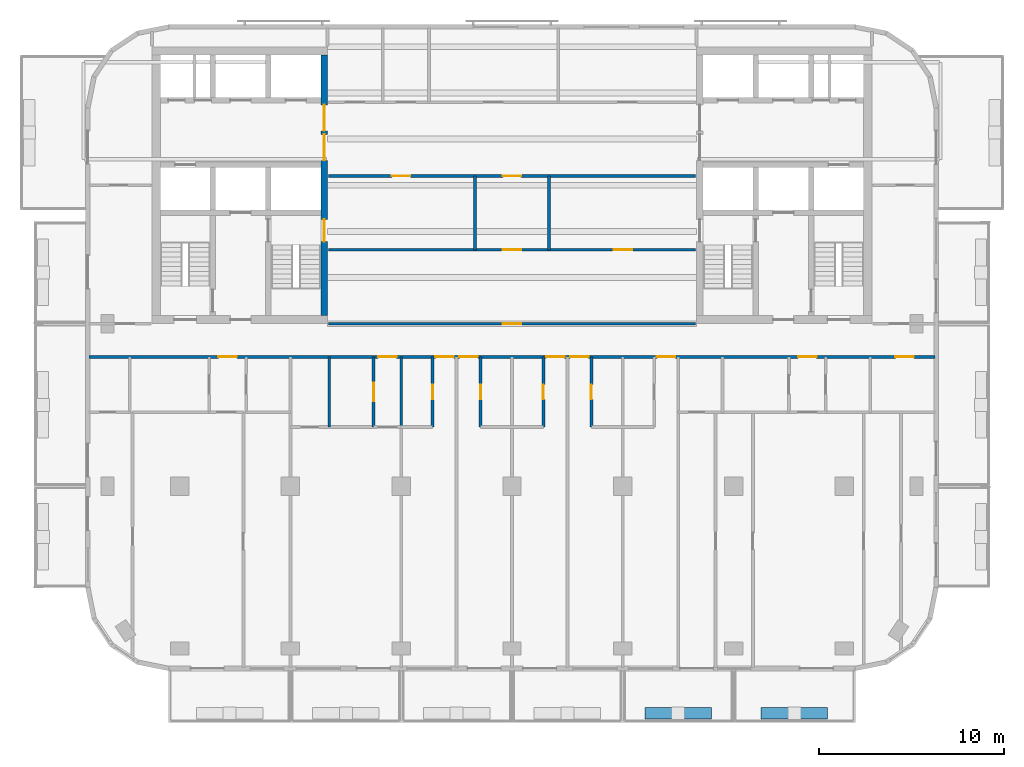
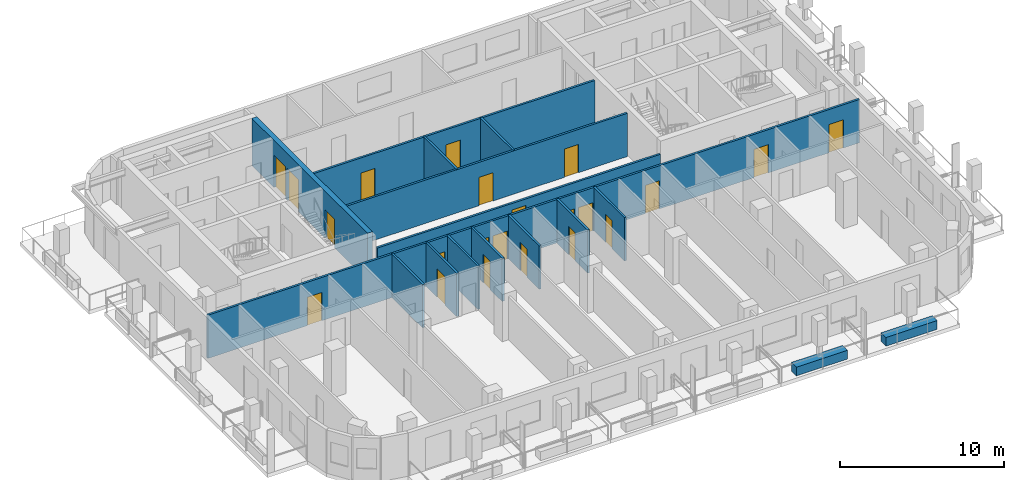
# One storey, part 4 of 11: 22 doors, 16 walls, 22 openings.
"""IFC4 building model written with IfcOpenShell, lengths in metres."""

from ifc_helpers import new_model, si_unit, direction, frame, frame_2d, origin, place, context, subcontext, project, spatial, rectangle, extrude, material, layer, layer_set, type_object, element, fill, save


model = new_model("IFC4")

# Units and contexts
model_context = context("Model", 3, precision=1e-05, world=origin(), true_north=direction((0.0, 1.0)))
body_context = subcontext(model_context, "Body", "Model", "MODEL_VIEW")
ifc_project = project(units=[si_unit("LENGTHUNIT", "METRE"), si_unit("AREAUNIT", "SQUARE_METRE"), si_unit("VOLUMEUNIT", "CUBIC_METRE"), si_unit("PLANEANGLEUNIT", "RADIAN"), si_unit("MASSUNIT", "GRAM", prefix="KILO")], contexts=[model_context])

# Site, building, storey
site_placement = place(None, origin())
site = spatial("IfcSite", under=ifc_project, at=site_placement, CompositionType="ELEMENT")
building_placement = place(site_placement, origin())
building = spatial("IfcBuilding", under=site, at=building_placement, Name="Torana Hotel and Residences", CompositionType="ELEMENT")
storey_placement = place(building_placement, frame((0.0, 0.0, 256.10009765625)))
storey = spatial("IfcBuildingStorey", under=building, at=storey_placement, Name="L67", CompositionType="ELEMENT", Elevation=256.10009765625)

# Wall, openings, doors
ifc_material_1 = material(Name="Concrete C60/75", Category="concrete")
ifc_layer_1 = layer(ifc_material_1, 0.35009765625)
ifc_layer_set_1 = layer_set([ifc_layer_1], Name="CORE WALL 350 C60/75")
wall_type_1 = type_object("IfcWallType", Name="CORE WALL 350 C60/75", PredefinedType="SHEAR", material=ifc_layer_set_1)
wall_1_placement = place(storey_placement, frame((-10.175048828125, -14.550048828125, 0.0), z_axis=(0.0, 0.0, 1.0), x_axis=(0.0, 1.0, 0.0)))
wall_1 = element("IfcWall", 1, at=wall_1_placement, inside=storey, type_object=wall_type_1, Name="Core wall W arch", PredefinedType="SHEAR", context=body_context, shape_type="SweptSolid", body=[
    extrude(rectangle(XDim=14.10009765625, YDim=0.35009765625, at=frame_2d((7.050048828125, 0.0))), origin(), (0.0, 0.0, 1.0), 3.5),
])
opening_1_placement = place(wall_1_placement, frame((8.39990234375, 0.0, 0.0)))
opening_1 = element("IfcOpeningElement", 2, at=opening_1_placement, cuts=wall_1, Name="Opening L67-01", PredefinedType="OPENING", context=body_context, shape_type="SweptSolid", body=[
    extrude(rectangle(XDim=1.39990234375, YDim=2.39990234375, at=frame_2d((0.699951171875, 1.199951171875))), frame((0.0, 0.18505859375, 0.0), z_axis=(0.0, -1.0, 0.0), x_axis=(1.0, 0.0, 0.0)), (0.0, 0.0, 1.0), 0.3701171875),
])
opening_2_placement = place(wall_1_placement, frame((10.0, 0.0, 0.0)))
opening_2 = element("IfcOpeningElement", 3, at=opening_2_placement, cuts=wall_1, Name="Opening L67-02", PredefinedType="OPENING", context=body_context, shape_type="SweptSolid", body=[
    extrude(rectangle(XDim=1.39990234375, YDim=2.39990234375, at=frame_2d((0.699951171875, 1.199951171875))), frame((0.0, 0.18505859375, 0.0), z_axis=(0.0, -1.0, 0.0), x_axis=(1.0, 0.0, 0.0)), (0.0, 0.0, 1.0), 0.3701171875),
])
opening_3_placement = place(wall_1_placement, frame((4.0, 0.0, 0.0)))
opening_3 = element("IfcOpeningElement", 4, at=opening_3_placement, cuts=wall_1, Name="Opening L67-03", PredefinedType="OPENING", context=body_context, shape_type="SweptSolid", body=[
    extrude(rectangle(XDim=1.199951171875, YDim=2.10009765625, at=frame_2d((0.60009765625, 1.050048828125))), frame((0.0, 0.18505859375, 0.0), z_axis=(0.0, -1.0, 0.0), x_axis=(1.0, 0.0, 0.0)), (0.0, 0.0, 1.0), 0.3701171875),
])
ifc_material_2 = material(Name="Steel S235", Category="steel")
door_type_1 = type_object("IfcDoorType", Name="LOBBY FIRE DOOR D4 1400x2400", OperationType="DOUBLE_DOOR_SINGLE_SWING", PredefinedType="DOOR", material=ifc_material_2)
door_1_placement = place(opening_1_placement, origin())
door_1 = element("IfcDoor", 5, at=door_1_placement, inside=storey, type_object=door_type_1, Name="Lobby-1 door L67", OperationType="DOUBLE_DOOR_SINGLE_SWING", OverallHeight=2.39990234375, OverallWidth=1.39990234375, PredefinedType="DOOR", context=body_context, shape_type="SweptSolid", body=[
    extrude(rectangle(XDim=1.39990234375, YDim=2.39990234375, at=frame_2d((0.699951171875, 1.199951171875))), frame((0.0, 0.02490234375, 0.0), z_axis=(0.0, -1.0, 0.0), x_axis=(1.0, 0.0, 0.0)), (0.0, 0.0, 1.0), 0.050048828125),
])
fill(opening_1, door_1)
door_2_placement = place(opening_2_placement, origin())
door_2 = element("IfcDoor", 6, at=door_2_placement, inside=storey, type_object=door_type_1, Name="Lobby-2 door L67", OperationType="DOUBLE_DOOR_SINGLE_SWING", OverallHeight=2.39990234375, OverallWidth=1.39990234375, PredefinedType="DOOR", context=body_context, shape_type="SweptSolid", body=[
    extrude(rectangle(XDim=1.39990234375, YDim=2.39990234375, at=frame_2d((0.699951171875, 1.199951171875))), frame((0.0, 0.02490234375, 0.0), z_axis=(0.0, -1.0, 0.0), x_axis=(1.0, 0.0, 0.0)), (0.0, 0.0, 1.0), 0.050048828125),
])
fill(opening_2, door_2)
ifc_material_3 = material(Name="Steel S235", Category="steel")
door_type_2 = type_object("IfcDoorType", Name="STAIR FIRE DOOR D3 1200x2100", OperationType="SINGLE_SWING_LEFT", PredefinedType="DOOR", material=ifc_material_3)
door_3_placement = place(opening_3_placement, origin())
door_3 = element("IfcDoor", 7, at=door_3_placement, inside=storey, type_object=door_type_2, Name="Stair-A door L67", OperationType="SINGLE_SWING_LEFT", OverallHeight=2.10009765625, OverallWidth=1.199951171875, PredefinedType="DOOR", context=body_context, shape_type="SweptSolid", body=[
    extrude(rectangle(XDim=1.199951171875, YDim=2.10009765625, at=frame_2d((0.60009765625, 1.050048828125))), frame((0.0, 0.02490234375, 0.0), z_axis=(0.0, -1.0, 0.0), x_axis=(1.0, 0.0, 0.0)), (0.0, 0.0, 1.0), 0.050048828125),
])
fill(opening_3, door_3)

# Walls
ifc_material_4 = material(Name="Gypsum plaster")
ifc_layer_2 = layer(ifc_material_4, 0.014892578125, Name="Plaster", Category="finish")
ifc_material_5 = material(Name="Concrete blockwork", Category="masonry")
ifc_layer_3 = layer(ifc_material_5, 0.1201171875, Name="Blockwork", Category="structure")
ifc_layer_4 = layer(ifc_material_4, 0.014892578125, Name="Plaster", Category="finish")
ifc_layer_set_2 = layer_set([ifc_layer_2, ifc_layer_3, ifc_layer_4], Name="FIRE PARTITION 150 BLOCKWORK")
wall_type_2 = type_object("IfcWallType", Name="FIRE PARTITION 150 BLOCKWORK", PredefinedType="PARTITIONING", material=ifc_layer_set_2)
for number, where, z_axis, x_axis, name in (
    (8, (2.0, -11.0, 0.0), (0.0, 0.0, 1.0), (0.0, 1.0, 0.0), "Partition L67"),
    (9, (-2.0, -11.0, 0.0), (0.0, 0.0, 1.0), (0.0, 1.0, 0.0), "Partition L67"),
):
    element("IfcWall", number, at=place(storey_placement, frame(where, z_axis=z_axis, x_axis=x_axis)), inside=storey, type_object=wall_type_2, Name=name, PredefinedType="PARTITIONING", context=body_context, shape_type="SweptSolid", body=[
        extrude(rectangle(XDim=4.0, YDim=0.14990234375, at=frame_2d((2.0, 0.0))), origin(), (0.0, 0.0, 1.0), 3.219970703125),
    ])
wall_2_placement = place(storey_placement, frame((-6.0, -20.60009765625, 0.0), z_axis=(0.0, 0.0, 1.0), x_axis=(0.0, 1.0, 0.0)))
element("IfcWall", 10, at=wall_2_placement, inside=storey, type_object=wall_type_2, Name="Partition L67", PredefinedType="PARTITIONING", context=body_context, shape_type="SweptSolid", body=[
    extrude(rectangle(XDim=3.800048828125, YDim=0.14990234375, at=frame_2d((1.89990234375, 0.0))), origin(), (0.0, 0.0, 1.0), 3.219970703125),
])

# Wall, opening, door
wall_3_placement = place(storey_placement, frame((-7.5, -20.60009765625, 0.0), z_axis=(0.0, 0.0, 1.0), x_axis=(0.0, 1.0, 0.0)))
wall_3 = element("IfcWall", 11, at=wall_3_placement, inside=storey, type_object=wall_type_2, Name="Partition L67", PredefinedType="PARTITIONING", context=body_context, shape_type="SweptSolid", body=[
    extrude(rectangle(XDim=3.800048828125, YDim=0.14990234375, at=frame_2d((1.89990234375, 0.0))), origin(), (0.0, 0.0, 1.0), 3.219970703125),
])
opening_4_placement = place(wall_3_placement, frame((1.39990234375, 0.0, 0.0)))
opening_4 = element("IfcOpeningElement", 12, at=opening_4_placement, cuts=wall_3, Name="Opening L67-40", PredefinedType="OPENING", context=body_context, shape_type="SweptSolid", body=[
    extrude(rectangle(XDim=1.0, YDim=2.10009765625, at=frame_2d((0.5, 1.050048828125))), frame((0.0, 0.0849609375, 0.0), z_axis=(0.0, -1.0, 0.0), x_axis=(1.0, 0.0, 0.0)), (0.0, 0.0, 1.0), 0.169921875),
])
ifc_material_6 = material(Name="Steel S235", Category="steel")
door_type_3 = type_object("IfcDoorType", Name="ENTRY FIRE DOOR D6 1000x2100", OperationType="SINGLE_SWING_LEFT", PredefinedType="DOOR", material=ifc_material_6)
door_4_placement = place(opening_4_placement, origin())
door_4 = element("IfcDoor", 13, at=door_4_placement, inside=storey, type_object=door_type_3, Name="Door L67", OperationType="SINGLE_SWING_RIGHT", OverallHeight=2.10009765625, OverallWidth=1.0, PredefinedType="DOOR", context=body_context, shape_type="SweptSolid", body=[
    extrude(rectangle(XDim=1.0, YDim=2.10009765625, at=frame_2d((0.5, 1.050048828125))), frame((0.0, 0.02490234375, 0.0), z_axis=(0.0, -1.0, 0.0), x_axis=(1.0, 0.0, 0.0)), (0.0, 0.0, 1.0), 0.050048828125),
])
fill(opening_4, door_4)

# Wall, openings, doors
wall_4_placement = place(storey_placement, frame((-22.919921875, -16.800048828125, 0.0), z_axis=(0.0, 0.0, 1.0), x_axis=(1.0, 0.0, 0.0)))
wall_4 = element("IfcWall", 14, at=wall_4_placement, inside=storey, type_object=wall_type_2, Name="Partition L67", PredefinedType="PARTITIONING", context=body_context, shape_type="SweptSolid", body=[
    extrude(rectangle(XDim=45.83984375, YDim=0.14990234375, at=frame_2d((22.919921875, 0.0))), origin(), (0.0, 0.0, 1.0), 3.219970703125),
])
opening_5_placement = place(wall_4_placement, frame((15.669921875, 0.0, 0.0)))
opening_5 = element("IfcOpeningElement", 15, at=opening_5_placement, cuts=wall_4, Name="Opening L67-20", PredefinedType="OPENING", context=body_context, shape_type="SweptSolid", body=[
    extrude(rectangle(XDim=1.0, YDim=2.10009765625, at=frame_2d((0.5, 1.050048828125))), frame((0.0, 0.0849609375, 0.0), z_axis=(0.0, -1.0, 0.0), x_axis=(1.0, 0.0, 0.0)), (0.0, 0.0, 1.0), 0.169921875),
])
opening_6_placement = place(wall_4_placement, frame((18.77001953125, 0.0, 0.0)))
opening_6 = element("IfcOpeningElement", 16, at=opening_6_placement, cuts=wall_4, Name="Opening L67-21", PredefinedType="OPENING", context=body_context, shape_type="SweptSolid", body=[
    extrude(rectangle(XDim=1.0, YDim=2.10009765625, at=frame_2d((0.5, 1.050048828125))), frame((0.0, 0.0849609375, 0.0), z_axis=(0.0, -1.0, 0.0), x_axis=(1.0, 0.0, 0.0)), (0.0, 0.0, 1.0), 0.169921875),
])
opening_7_placement = place(wall_4_placement, frame((20.070068359375, 0.0, 0.0)))
opening_7 = element("IfcOpeningElement", 17, at=opening_7_placement, cuts=wall_4, Name="Opening L67-22", PredefinedType="OPENING", context=body_context, shape_type="SweptSolid", body=[
    extrude(rectangle(XDim=1.0, YDim=2.10009765625, at=frame_2d((0.5, 1.050048828125))), frame((0.0, 0.0849609375, 0.0), z_axis=(0.0, -1.0, 0.0), x_axis=(1.0, 0.0, 0.0)), (0.0, 0.0, 1.0), 0.169921875),
])
opening_8_placement = place(wall_4_placement, frame((24.77001953125, 0.0, 0.0)))
opening_8 = element("IfcOpeningElement", 18, at=opening_8_placement, cuts=wall_4, Name="Opening L67-23", PredefinedType="OPENING", context=body_context, shape_type="SweptSolid", body=[
    extrude(rectangle(XDim=1.0, YDim=2.10009765625, at=frame_2d((0.5, 1.050048828125))), frame((0.0, 0.0849609375, 0.0), z_axis=(0.0, -1.0, 0.0), x_axis=(1.0, 0.0, 0.0)), (0.0, 0.0, 1.0), 0.169921875),
])
opening_9_placement = place(wall_4_placement, frame((26.070068359375, 0.0, 0.0)))
opening_9 = element("IfcOpeningElement", 19, at=opening_9_placement, cuts=wall_4, Name="Opening L67-24", PredefinedType="OPENING", context=body_context, shape_type="SweptSolid", body=[
    extrude(rectangle(XDim=1.0, YDim=2.10009765625, at=frame_2d((0.5, 1.050048828125))), frame((0.0, 0.0849609375, 0.0), z_axis=(0.0, -1.0, 0.0), x_axis=(1.0, 0.0, 0.0)), (0.0, 0.0, 1.0), 0.169921875),
])
opening_10_placement = place(wall_4_placement, frame((30.77001953125, 0.0, 0.0)))
opening_10 = element("IfcOpeningElement", 20, at=opening_10_placement, cuts=wall_4, Name="Opening L67-25", PredefinedType="OPENING", context=body_context, shape_type="SweptSolid", body=[
    extrude(rectangle(XDim=1.0, YDim=2.10009765625, at=frame_2d((0.5, 1.050048828125))), frame((0.0, 0.0849609375, 0.0), z_axis=(0.0, -1.0, 0.0), x_axis=(1.0, 0.0, 0.0)), (0.0, 0.0, 1.0), 0.169921875),
])
opening_11_placement = place(wall_4_placement, frame((7.02001953125, 0.0, 0.0)))
opening_11 = element("IfcOpeningElement", 21, at=opening_11_placement, cuts=wall_4, Name="Opening L67-26", PredefinedType="OPENING", context=body_context, shape_type="SweptSolid", body=[
    extrude(rectangle(XDim=1.0, YDim=2.10009765625, at=frame_2d((0.5, 1.050048828125))), frame((0.0, 0.0849609375, 0.0), z_axis=(0.0, -1.0, 0.0), x_axis=(1.0, 0.0, 0.0)), (0.0, 0.0, 1.0), 0.169921875),
])
opening_12_placement = place(wall_4_placement, frame((38.419921875, 0.0, 0.0)))
opening_12 = element("IfcOpeningElement", 22, at=opening_12_placement, cuts=wall_4, Name="Opening L67-27", PredefinedType="OPENING", context=body_context, shape_type="SweptSolid", body=[
    extrude(rectangle(XDim=1.0, YDim=2.10009765625, at=frame_2d((0.5, 1.050048828125))), frame((0.0, 0.0849609375, 0.0), z_axis=(0.0, -1.0, 0.0), x_axis=(1.0, 0.0, 0.0)), (0.0, 0.0, 1.0), 0.169921875),
])
opening_13_placement = place(wall_4_placement, frame((43.68994140625, 0.0, 0.0)))
opening_13 = element("IfcOpeningElement", 23, at=opening_13_placement, cuts=wall_4, Name="Opening L67-28", PredefinedType="OPENING", context=body_context, shape_type="SweptSolid", body=[
    extrude(rectangle(XDim=1.0, YDim=2.10009765625, at=frame_2d((0.5, 1.050048828125))), frame((0.0, 0.0849609375, 0.0), z_axis=(0.0, -1.0, 0.0), x_axis=(1.0, 0.0, 0.0)), (0.0, 0.0, 1.0), 0.169921875),
])
door_5_placement = place(opening_5_placement, origin())
door_5 = element("IfcDoor", 24, at=door_5_placement, inside=storey, type_object=door_type_3, Name="Door L67", OperationType="SINGLE_SWING_RIGHT", OverallHeight=2.10009765625, OverallWidth=1.0, PredefinedType="DOOR", context=body_context, shape_type="SweptSolid", body=[
    extrude(rectangle(XDim=1.0, YDim=2.10009765625, at=frame_2d((0.5, 1.050048828125))), frame((0.0, 0.02490234375, 0.0), z_axis=(0.0, -1.0, 0.0), x_axis=(1.0, 0.0, 0.0)), (0.0, 0.0, 1.0), 0.050048828125),
])
fill(opening_5, door_5)
door_6_placement = place(opening_6_placement, frame((0.5, 0.0, 0.0), z_axis=(0.0, 0.0, 1.0), x_axis=(-1.0, 0.0, 0.0)))
door_6 = element("IfcDoor", 25, at=door_6_placement, inside=storey, type_object=door_type_3, Name="Door L67", OperationType="SINGLE_SWING_LEFT", OverallHeight=2.10009765625, OverallWidth=1.0, PredefinedType="DOOR", context=body_context, shape_type="SweptSolid", body=[
    extrude(rectangle(XDim=1.0, YDim=2.10009765625, at=frame_2d((0.0, 1.050048828125))), frame((0.0, -0.02490234375, 0.0), z_axis=(0.0, 1.0, 0.0), x_axis=(-1.0, 0.0, 0.0)), (0.0, 0.0, 1.0), 0.050048828125),
])
fill(opening_6, door_6)
door_7_placement = place(opening_7_placement, frame((0.5, 0.0, 0.0), z_axis=(0.0, 0.0, 1.0), x_axis=(-1.0, 0.0, 0.0)))
door_7 = element("IfcDoor", 26, at=door_7_placement, inside=storey, type_object=door_type_3, Name="Door L67", OperationType="SINGLE_SWING_LEFT", OverallHeight=2.10009765625, OverallWidth=1.0, PredefinedType="DOOR", context=body_context, shape_type="SweptSolid", body=[
    extrude(rectangle(XDim=1.0, YDim=2.10009765625, at=frame_2d((0.0, 1.050048828125))), frame((0.0, -0.02490234375, 0.0), z_axis=(0.0, 1.0, 0.0), x_axis=(-1.0, 0.0, 0.0)), (0.0, 0.0, 1.0), 0.050048828125),
])
fill(opening_7, door_7)
door_8_placement = place(opening_8_placement, frame((0.5, 0.0, 0.0), z_axis=(0.0, 0.0, 1.0), x_axis=(-1.0, 0.0, 0.0)))
door_8 = element("IfcDoor", 27, at=door_8_placement, inside=storey, type_object=door_type_3, Name="Door L67", OperationType="SINGLE_SWING_LEFT", OverallHeight=2.10009765625, OverallWidth=1.0, PredefinedType="DOOR", context=body_context, shape_type="SweptSolid", body=[
    extrude(rectangle(XDim=1.0, YDim=2.10009765625, at=frame_2d((0.0, 1.050048828125))), frame((0.0, -0.02490234375, 0.0), z_axis=(0.0, 1.0, 0.0), x_axis=(-1.0, 0.0, 0.0)), (0.0, 0.0, 1.0), 0.050048828125),
])
fill(opening_8, door_8)
door_9_placement = place(opening_9_placement, frame((0.5, 0.0, 0.0), z_axis=(0.0, 0.0, 1.0), x_axis=(-1.0, 0.0, 0.0)))
door_9 = element("IfcDoor", 28, at=door_9_placement, inside=storey, type_object=door_type_3, Name="Door L67", OperationType="SINGLE_SWING_LEFT", OverallHeight=2.10009765625, OverallWidth=1.0, PredefinedType="DOOR", context=body_context, shape_type="SweptSolid", body=[
    extrude(rectangle(XDim=1.0, YDim=2.10009765625, at=frame_2d((0.0, 1.050048828125))), frame((0.0, -0.02490234375, 0.0), z_axis=(0.0, 1.0, 0.0), x_axis=(-1.0, 0.0, 0.0)), (0.0, 0.0, 1.0), 0.050048828125),
])
fill(opening_9, door_9)
door_10_placement = place(opening_10_placement, frame((0.5, 0.0, 0.0), z_axis=(0.0, 0.0, 1.0), x_axis=(-1.0, 0.0, 0.0)))
door_10 = element("IfcDoor", 29, at=door_10_placement, inside=storey, type_object=door_type_3, Name="Door L67", OperationType="SINGLE_SWING_LEFT", OverallHeight=2.10009765625, OverallWidth=1.0, PredefinedType="DOOR", context=body_context, shape_type="SweptSolid", body=[
    extrude(rectangle(XDim=1.0, YDim=2.10009765625, at=frame_2d((0.0, 1.050048828125))), frame((0.0, -0.02490234375, 0.0), z_axis=(0.0, 1.0, 0.0), x_axis=(-1.0, 0.0, 0.0)), (0.0, 0.0, 1.0), 0.050048828125),
])
fill(opening_10, door_10)
door_11_placement = place(opening_11_placement, origin())
door_11 = element("IfcDoor", 30, at=door_11_placement, inside=storey, type_object=door_type_3, Name="Door L67", OperationType="SINGLE_SWING_RIGHT", OverallHeight=2.10009765625, OverallWidth=1.0, PredefinedType="DOOR", context=body_context, shape_type="SweptSolid", body=[
    extrude(rectangle(XDim=1.0, YDim=2.10009765625, at=frame_2d((0.5, 1.050048828125))), frame((0.0, 0.02490234375, 0.0), z_axis=(0.0, -1.0, 0.0), x_axis=(1.0, 0.0, 0.0)), (0.0, 0.0, 1.0), 0.050048828125),
])
fill(opening_11, door_11)
door_12_placement = place(opening_12_placement, origin())
door_12 = element("IfcDoor", 31, at=door_12_placement, inside=storey, type_object=door_type_3, Name="Door L67", OperationType="SINGLE_SWING_RIGHT", OverallHeight=2.10009765625, OverallWidth=1.0, PredefinedType="DOOR", context=body_context, shape_type="SweptSolid", body=[
    extrude(rectangle(XDim=1.0, YDim=2.10009765625, at=frame_2d((0.5, 1.050048828125))), frame((0.0, 0.02490234375, 0.0), z_axis=(0.0, -1.0, 0.0), x_axis=(1.0, 0.0, 0.0)), (0.0, 0.0, 1.0), 0.050048828125),
])
fill(opening_12, door_12)
door_13_placement = place(opening_13_placement, frame((0.5, 0.0, 0.0), z_axis=(0.0, 0.0, 1.0), x_axis=(-1.0, 0.0, 0.0)))
door_13 = element("IfcDoor", 32, at=door_13_placement, inside=storey, type_object=door_type_3, Name="Door L67", OperationType="SINGLE_SWING_RIGHT", OverallHeight=2.10009765625, OverallWidth=1.0, PredefinedType="DOOR", context=body_context, shape_type="SweptSolid", body=[
    extrude(rectangle(XDim=1.0, YDim=2.10009765625, at=frame_2d((0.0, 1.050048828125))), frame((0.0, -0.02490234375, 0.0), z_axis=(0.0, 1.0, 0.0), x_axis=(-1.0, 0.0, 0.0)), (0.0, 0.0, 1.0), 0.050048828125),
])
fill(opening_13, door_13)

# Wall, opening, door
wall_5_placement = place(storey_placement, frame((-9.949951171875, -15.0, 0.0), z_axis=(0.0, 0.0, 1.0), x_axis=(1.0, 0.0, 0.0)))
wall_5 = element("IfcWall", 33, at=wall_5_placement, inside=storey, type_object=wall_type_2, Name="Partition L67", PredefinedType="PARTITIONING", context=body_context, shape_type="SweptSolid", body=[
    extrude(rectangle(XDim=19.89990234375, YDim=0.14990234375, at=frame_2d((9.949951171875, 0.0))), origin(), (0.0, 0.0, 1.0), 2.583984375),
])
opening_14_placement = place(wall_5_placement, frame((9.449951171875, 0.0, 0.0)))
opening_14 = element("IfcOpeningElement", 34, at=opening_14_placement, cuts=wall_5, Name="Opening L67-19", PredefinedType="OPENING", context=body_context, shape_type="SweptSolid", body=[
    extrude(rectangle(XDim=1.0, YDim=2.10009765625, at=frame_2d((0.5, 1.050048828125))), frame((0.0, 0.0849609375, 0.0), z_axis=(0.0, -1.0, 0.0), x_axis=(1.0, 0.0, 0.0)), (0.0, 0.0, 1.0), 0.169921875),
])
door_14_placement = place(opening_14_placement, origin())
door_14 = element("IfcDoor", 35, at=door_14_placement, inside=storey, type_object=door_type_3, Name="Door L67", OperationType="SINGLE_SWING_RIGHT", OverallHeight=2.10009765625, OverallWidth=1.0, PredefinedType="DOOR", context=body_context, shape_type="SweptSolid", body=[
    extrude(rectangle(XDim=1.0, YDim=2.10009765625, at=frame_2d((0.5, 1.050048828125))), frame((0.0, 0.02490234375, 0.0), z_axis=(0.0, -1.0, 0.0), x_axis=(1.0, 0.0, 0.0)), (0.0, 0.0, 1.0), 0.050048828125),
])
fill(opening_14, door_14)

# Wall, openings, doors
wall_6_placement = place(storey_placement, frame((-9.949951171875, -11.0, 0.0), z_axis=(0.0, 0.0, 1.0), x_axis=(1.0, 0.0, 0.0)))
wall_6 = element("IfcWall", 36, at=wall_6_placement, inside=storey, type_object=wall_type_2, Name="Partition L67", PredefinedType="PARTITIONING", context=body_context, shape_type="SweptSolid", body=[
    extrude(rectangle(XDim=19.89990234375, YDim=0.14990234375, at=frame_2d((9.949951171875, 0.0))), origin(), (0.0, 0.0, 1.0), 3.219970703125),
])
opening_15_placement = place(wall_6_placement, frame((9.449951171875, 0.0, 0.0)))
opening_15 = element("IfcOpeningElement", 37, at=opening_15_placement, cuts=wall_6, Name="Opening L67-31", PredefinedType="OPENING", context=body_context, shape_type="SweptSolid", body=[
    extrude(rectangle(XDim=1.0, YDim=2.10009765625, at=frame_2d((0.5, 1.050048828125))), frame((0.0, 0.0849609375, 0.0), z_axis=(0.0, -1.0, 0.0), x_axis=(1.0, 0.0, 0.0)), (0.0, 0.0, 1.0), 0.169921875),
])
opening_16_placement = place(wall_6_placement, frame((15.449951171875, 0.0, 0.0)))
opening_16 = element("IfcOpeningElement", 38, at=opening_16_placement, cuts=wall_6, Name="Opening L67-32", PredefinedType="OPENING", context=body_context, shape_type="SweptSolid", body=[
    extrude(rectangle(XDim=1.0, YDim=2.10009765625, at=frame_2d((0.5, 1.050048828125))), frame((0.0, 0.0849609375, 0.0), z_axis=(0.0, -1.0, 0.0), x_axis=(1.0, 0.0, 0.0)), (0.0, 0.0, 1.0), 0.169921875),
])
door_15_placement = place(opening_15_placement, origin())
door_15 = element("IfcDoor", 39, at=door_15_placement, inside=storey, type_object=door_type_3, Name="Door L67", OperationType="SINGLE_SWING_RIGHT", OverallHeight=2.10009765625, OverallWidth=1.0, PredefinedType="DOOR", context=body_context, shape_type="SweptSolid", body=[
    extrude(rectangle(XDim=1.0, YDim=2.10009765625, at=frame_2d((0.5, 1.050048828125))), frame((0.0, 0.02490234375, 0.0), z_axis=(0.0, -1.0, 0.0), x_axis=(1.0, 0.0, 0.0)), (0.0, 0.0, 1.0), 0.050048828125),
])
fill(opening_15, door_15)
door_16_placement = place(opening_16_placement, origin())
door_16 = element("IfcDoor", 40, at=door_16_placement, inside=storey, type_object=door_type_3, Name="Door L67", OperationType="SINGLE_SWING_RIGHT", OverallHeight=2.10009765625, OverallWidth=1.0, PredefinedType="DOOR", context=body_context, shape_type="SweptSolid", body=[
    extrude(rectangle(XDim=1.0, YDim=2.10009765625, at=frame_2d((0.5, 1.050048828125))), frame((0.0, 0.02490234375, 0.0), z_axis=(0.0, -1.0, 0.0), x_axis=(1.0, 0.0, 0.0)), (0.0, 0.0, 1.0), 0.050048828125),
])
fill(opening_16, door_16)

wall_7_placement = place(storey_placement, frame((-9.949951171875, -7.0, 0.0), z_axis=(0.0, 0.0, 1.0), x_axis=(1.0, 0.0, 0.0)))
wall_7 = element("IfcWall", 41, at=wall_7_placement, inside=storey, type_object=wall_type_2, Name="Partition L67", PredefinedType="PARTITIONING", context=body_context, shape_type="SweptSolid", body=[
    extrude(rectangle(XDim=19.89990234375, YDim=0.14990234375, at=frame_2d((9.949951171875, 0.0))), origin(), (0.0, 0.0, 1.0), 3.219970703125),
])
opening_17_placement = place(wall_7_placement, frame((9.449951171875, 0.0, 0.0)))
opening_17 = element("IfcOpeningElement", 42, at=opening_17_placement, cuts=wall_7, Name="Opening L67-33", PredefinedType="OPENING", context=body_context, shape_type="SweptSolid", body=[
    extrude(rectangle(XDim=1.0, YDim=2.10009765625, at=frame_2d((0.5, 1.050048828125))), frame((0.0, 0.0849609375, 0.0), z_axis=(0.0, -1.0, 0.0), x_axis=(1.0, 0.0, 0.0)), (0.0, 0.0, 1.0), 0.169921875),
])
opening_18_placement = place(wall_7_placement, frame((3.449951171875, 0.0, 0.0)))
opening_18 = element("IfcOpeningElement", 43, at=opening_18_placement, cuts=wall_7, Name="Opening L67-34", PredefinedType="OPENING", context=body_context, shape_type="SweptSolid", body=[
    extrude(rectangle(XDim=1.0, YDim=2.10009765625, at=frame_2d((0.5, 1.050048828125))), frame((0.0, 0.0849609375, 0.0), z_axis=(0.0, -1.0, 0.0), x_axis=(1.0, 0.0, 0.0)), (0.0, 0.0, 1.0), 0.169921875),
])
door_17_placement = place(opening_17_placement, origin())
door_17 = element("IfcDoor", 44, at=door_17_placement, inside=storey, type_object=door_type_3, Name="Door L67", OperationType="SINGLE_SWING_RIGHT", OverallHeight=2.10009765625, OverallWidth=1.0, PredefinedType="DOOR", context=body_context, shape_type="SweptSolid", body=[
    extrude(rectangle(XDim=1.0, YDim=2.10009765625, at=frame_2d((0.5, 1.050048828125))), frame((0.0, 0.02490234375, 0.0), z_axis=(0.0, -1.0, 0.0), x_axis=(1.0, 0.0, 0.0)), (0.0, 0.0, 1.0), 0.050048828125),
])
fill(opening_17, door_17)
door_18_placement = place(opening_18_placement, frame((0.5, 0.0, 0.0), z_axis=(0.0, 0.0, 1.0), x_axis=(-1.0, 0.0, 0.0)))
door_18 = element("IfcDoor", 45, at=door_18_placement, inside=storey, type_object=door_type_3, Name="Door L67", OperationType="SINGLE_SWING_LEFT", OverallHeight=2.10009765625, OverallWidth=1.0, PredefinedType="DOOR", context=body_context, shape_type="SweptSolid", body=[
    extrude(rectangle(XDim=1.0, YDim=2.10009765625, at=frame_2d((0.0, 1.050048828125))), frame((0.0, -0.02490234375, 0.0), z_axis=(0.0, 1.0, 0.0), x_axis=(-1.0, 0.0, 0.0)), (0.0, 0.0, 1.0), 0.050048828125),
])
fill(opening_18, door_18)

# Wall, opening, door
ifc_material_7 = material(Name="Gypsum plasterboard")
ifc_layer_5 = layer(ifc_material_7, 0.012451171875, Name="Plasterboard", Category="finish")
ifc_layer_6 = layer(ifc_material_7, 0.012451171875, Name="Plasterboard", Category="finish")
ifc_material_8 = material(Name="Steel S280GD", Category="steel")
ifc_layer_7 = layer(ifc_material_8, 0.10009765625, Name="Steel studs with mineral wool", Category="insulation")
ifc_layer_8 = layer(ifc_material_7, 0.012451171875, Name="Plasterboard", Category="finish")
ifc_layer_9 = layer(ifc_material_7, 0.012451171875, Name="Plasterboard", Category="finish")
ifc_layer_set_3 = layer_set([ifc_layer_5, ifc_layer_6, ifc_layer_7, ifc_layer_8, ifc_layer_9], Name="PARTITION 150 PLASTERBOARD")
wall_type_3 = type_object("IfcWallType", Name="PARTITION 150 PLASTERBOARD", PredefinedType="PARTITIONING", material=ifc_layer_set_3)
wall_8_placement = place(storey_placement, frame((4.300048828125, -20.60009765625, 0.0), z_axis=(0.0, 0.0, 1.0), x_axis=(0.0, 1.0, 0.0)))
wall_8 = element("IfcWall", 46, at=wall_8_placement, inside=storey, type_object=wall_type_3, Name="Partition L67", PredefinedType="PARTITIONING", context=body_context, shape_type="SweptSolid", body=[
    extrude(rectangle(XDim=3.800048828125, YDim=0.14990234375, at=frame_2d((1.89990234375, 0.0))), origin(), (0.0, 0.0, 1.0), 3.219970703125),
])
opening_19_placement = place(wall_8_placement, frame((1.5, 0.0, 0.0)))
opening_19 = element("IfcOpeningElement", 47, at=opening_19_placement, cuts=wall_8, Name="Opening L67-45", PredefinedType="OPENING", context=body_context, shape_type="SweptSolid", body=[
    extrude(rectangle(XDim=0.800048828125, YDim=2.10009765625, at=frame_2d((0.39990234375, 1.050048828125))), frame((0.0, 0.0849609375, 0.0), z_axis=(0.0, -1.0, 0.0), x_axis=(1.0, 0.0, 0.0)), (0.0, 0.0, 1.0), 0.169921875),
])
ifc_material_9 = material(Name="Timber door, painted", Category="wood")
door_type_4 = type_object("IfcDoorType", Name="BATH DOOR D13 800x2100", OperationType="SINGLE_SWING_LEFT", PredefinedType="DOOR", material=ifc_material_9)
door_19_placement = place(opening_19_placement, origin())
door_19 = element("IfcDoor", 48, at=door_19_placement, inside=storey, type_object=door_type_4, Name="Door L67", OperationType="SINGLE_SWING_RIGHT", OverallHeight=2.10009765625, OverallWidth=0.800048828125, PredefinedType="DOOR", context=body_context, shape_type="SweptSolid", body=[
    extrude(rectangle(XDim=0.800048828125, YDim=2.10009765625, at=frame_2d((0.39990234375, 1.050048828125))), frame((0.0, 0.02490234375, 0.0), z_axis=(0.0, -1.0, 0.0), x_axis=(1.0, 0.0, 0.0)), (0.0, 0.0, 1.0), 0.050048828125),
])
fill(opening_19, door_19)

wall_9_placement = place(storey_placement, frame((1.699951171875, -20.60009765625, 0.0), z_axis=(0.0, 0.0, 1.0), x_axis=(0.0, 1.0, 0.0)))
wall_9 = element("IfcWall", 49, at=wall_9_placement, inside=storey, type_object=wall_type_3, Name="Partition L67", PredefinedType="PARTITIONING", context=body_context, shape_type="SweptSolid", body=[
    extrude(rectangle(XDim=3.800048828125, YDim=0.14990234375, at=frame_2d((1.89990234375, 0.0))), origin(), (0.0, 0.0, 1.0), 3.219970703125),
])
opening_20_placement = place(wall_9_placement, frame((1.5, 0.0, 0.0)))
opening_20 = element("IfcOpeningElement", 50, at=opening_20_placement, cuts=wall_9, Name="Opening L67-44", PredefinedType="OPENING", context=body_context, shape_type="SweptSolid", body=[
    extrude(rectangle(XDim=0.800048828125, YDim=2.10009765625, at=frame_2d((0.39990234375, 1.050048828125))), frame((0.0, 0.0849609375, 0.0), z_axis=(0.0, -1.0, 0.0), x_axis=(1.0, 0.0, 0.0)), (0.0, 0.0, 1.0), 0.169921875),
])
door_20_placement = place(opening_20_placement, origin())
door_20 = element("IfcDoor", 51, at=door_20_placement, inside=storey, type_object=door_type_4, Name="Door L67", OperationType="SINGLE_SWING_RIGHT", OverallHeight=2.10009765625, OverallWidth=0.800048828125, PredefinedType="DOOR", context=body_context, shape_type="SweptSolid", body=[
    extrude(rectangle(XDim=0.800048828125, YDim=2.10009765625, at=frame_2d((0.39990234375, 1.050048828125))), frame((0.0, 0.02490234375, 0.0), z_axis=(0.0, -1.0, 0.0), x_axis=(1.0, 0.0, 0.0)), (0.0, 0.0, 1.0), 0.050048828125),
])
fill(opening_20, door_20)

wall_10_placement = place(storey_placement, frame((-1.699951171875, -20.60009765625, 0.0), z_axis=(0.0, 0.0, 1.0), x_axis=(0.0, 1.0, 0.0)))
wall_10 = element("IfcWall", 52, at=wall_10_placement, inside=storey, type_object=wall_type_3, Name="Partition L67", PredefinedType="PARTITIONING", context=body_context, shape_type="SweptSolid", body=[
    extrude(rectangle(XDim=3.800048828125, YDim=0.14990234375, at=frame_2d((1.89990234375, 0.0))), origin(), (0.0, 0.0, 1.0), 3.219970703125),
])
opening_21_placement = place(wall_10_placement, frame((1.5, 0.0, 0.0)))
opening_21 = element("IfcOpeningElement", 53, at=opening_21_placement, cuts=wall_10, Name="Opening L67-43", PredefinedType="OPENING", context=body_context, shape_type="SweptSolid", body=[
    extrude(rectangle(XDim=0.800048828125, YDim=2.10009765625, at=frame_2d((0.39990234375, 1.050048828125))), frame((0.0, 0.0849609375, 0.0), z_axis=(0.0, -1.0, 0.0), x_axis=(1.0, 0.0, 0.0)), (0.0, 0.0, 1.0), 0.169921875),
])
door_21_placement = place(opening_21_placement, origin())
door_21 = element("IfcDoor", 54, at=door_21_placement, inside=storey, type_object=door_type_4, Name="Door L67", OperationType="SINGLE_SWING_RIGHT", OverallHeight=2.10009765625, OverallWidth=0.800048828125, PredefinedType="DOOR", context=body_context, shape_type="SweptSolid", body=[
    extrude(rectangle(XDim=0.800048828125, YDim=2.10009765625, at=frame_2d((0.39990234375, 1.050048828125))), frame((0.0, 0.02490234375, 0.0), z_axis=(0.0, -1.0, 0.0), x_axis=(1.0, 0.0, 0.0)), (0.0, 0.0, 1.0), 0.050048828125),
])
fill(opening_21, door_21)

wall_11_placement = place(storey_placement, frame((-4.300048828125, -20.60009765625, 0.0), z_axis=(0.0, 0.0, 1.0), x_axis=(0.0, 1.0, 0.0)))
wall_11 = element("IfcWall", 55, at=wall_11_placement, inside=storey, type_object=wall_type_3, Name="Partition L67", PredefinedType="PARTITIONING", context=body_context, shape_type="SweptSolid", body=[
    extrude(rectangle(XDim=3.800048828125, YDim=0.14990234375, at=frame_2d((1.89990234375, 0.0))), origin(), (0.0, 0.0, 1.0), 3.219970703125),
])
opening_22_placement = place(wall_11_placement, frame((1.5, 0.0, 0.0)))
opening_22 = element("IfcOpeningElement", 56, at=opening_22_placement, cuts=wall_11, Name="Opening L67-42", PredefinedType="OPENING", context=body_context, shape_type="SweptSolid", body=[
    extrude(rectangle(XDim=0.800048828125, YDim=2.10009765625, at=frame_2d((0.39990234375, 1.050048828125))), frame((0.0, 0.0849609375, 0.0), z_axis=(0.0, -1.0, 0.0), x_axis=(1.0, 0.0, 0.0)), (0.0, 0.0, 1.0), 0.169921875),
])
door_22_placement = place(opening_22_placement, origin())
door_22 = element("IfcDoor", 57, at=door_22_placement, inside=storey, type_object=door_type_4, Name="Door L67", OperationType="SINGLE_SWING_RIGHT", OverallHeight=2.10009765625, OverallWidth=0.800048828125, PredefinedType="DOOR", context=body_context, shape_type="SweptSolid", body=[
    extrude(rectangle(XDim=0.800048828125, YDim=2.10009765625, at=frame_2d((0.39990234375, 1.050048828125))), frame((0.0, 0.02490234375, 0.0), z_axis=(0.0, -1.0, 0.0), x_axis=(1.0, 0.0, 0.0)), (0.0, 0.0, 1.0), 0.050048828125),
])
fill(opening_22, door_22)

# Walls
wall_12_placement = place(storey_placement, frame((-9.89990234375, -20.60009765625, 0.0), z_axis=(0.0, 0.0, 1.0), x_axis=(0.0, 1.0, 0.0)))
element("IfcWall", 58, at=wall_12_placement, inside=storey, type_object=wall_type_3, Name="Partition L67", PredefinedType="PARTITIONING", context=body_context, shape_type="SweptSolid", body=[
    extrude(rectangle(XDim=3.800048828125, YDim=0.14990234375, at=frame_2d((1.89990234375, 0.0))), origin(), (0.0, 0.0, 1.0), 3.219970703125),
])
ifc_material_10 = material(Name="Concrete C40/50 precast", Category="concrete")
ifc_layer_10 = layer(ifc_material_10, 0.10009765625, Name="Planter shell", Category="structure")
ifc_material_11 = material(Name="Root resistant membrane")
ifc_layer_11 = layer(ifc_material_11, 0.00390625, Name="Waterproofing membrane", Category="membrane")
ifc_material_12 = material(Name="Drainage board with filter fleece")
ifc_layer_12 = layer(ifc_material_12, 0.02001953125, Name="Drainage board", Category="drainage")
ifc_material_13 = material(Name="Growing medium")
ifc_layer_13 = layer(ifc_material_13, 0.47607421875, Name="Planting substrate", Category="soil")
ifc_layer_set_4 = layer_set([ifc_layer_10, ifc_layer_11, ifc_layer_12, ifc_layer_13], Name="PL1 BALCONY PLANTER 600")
wall_type_4 = type_object("IfcWallType", Name="PL1 BALCONY PLANTER 600", PredefinedType="USERDEFINED", material=ifc_layer_set_4)
for number, where, z_axis, x_axis, name in (
    (59, (10.800048828125, -36.10009765625, 0.0), (0.0, 0.0, 1.0), (-1.0, 0.0, 0.0), "Planter 05"),
    (60, (17.10009765625, -36.10009765625, 0.0), (0.0, 0.0, 1.0), (-1.0, 0.0, 0.0), "Planter 06"),
):
    element("IfcWall", number, at=place(storey_placement, frame(where, z_axis=z_axis, x_axis=x_axis)), inside=storey, type_object=wall_type_4, Name=name, ObjectType="PLANTER", PredefinedType="USERDEFINED", context=body_context, shape_type="SweptSolid", body=[
        extrude(rectangle(XDim=3.60009765625, YDim=0.60009765625, at=frame_2d((1.800048828125, 0.0))), origin(), (0.0, 0.0, 1.0), 0.64990234375),
    ])

save(model, "model.ifc")
